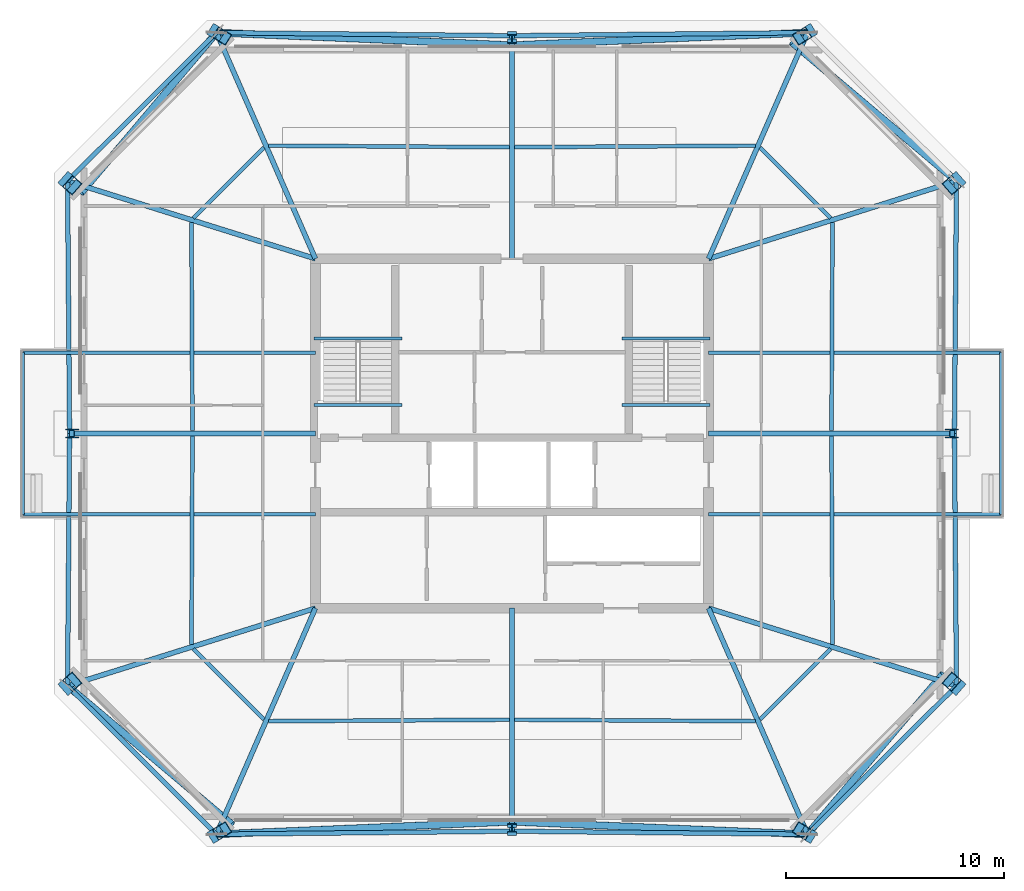
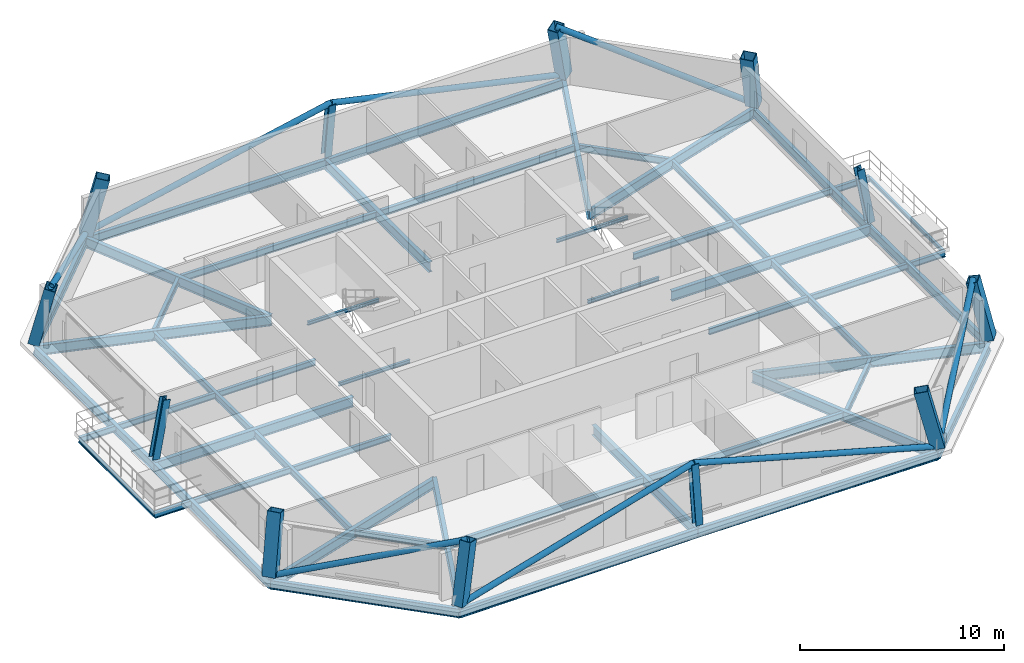
# One storey, part 1 of 7: 45 beams, 12 columns, 8 members.
"""IFC4 building model written with IfcOpenShell, lengths in metres."""

from ifc_helpers import new_model, si_unit, direction, frame, origin, origin_2d, place, context, subcontext, project, spatial, hollow_rectangle, hollow_circle, i_section, extrude, material, material_profile, profile_set, type_object, element, save


model = new_model("IFC4")

# Units and contexts
model_context = context("Model", 3, precision=1e-05, world=origin(), true_north=direction((0.0, 1.0)))
body_context = subcontext(model_context, "Body", "Model", "MODEL_VIEW")
ifc_project = project(units=[si_unit("LENGTHUNIT", "METRE"), si_unit("AREAUNIT", "SQUARE_METRE"), si_unit("VOLUMEUNIT", "CUBIC_METRE"), si_unit("PLANEANGLEUNIT", "RADIAN"), si_unit("MASSUNIT", "GRAM", prefix="KILO")], contexts=[model_context])

# Site, building, storey
site_placement = place(None, origin())
site = spatial("IfcSite", under=ifc_project, at=site_placement, CompositionType="ELEMENT")
building_placement = place(site_placement, origin())
building = spatial("IfcBuilding", under=site, at=building_placement, Name="Caelvoria Tower", CompositionType="ELEMENT")
storey_placement = place(building_placement, frame((0.0, 0.0, 227.39990234375)))
storey = spatial("IfcBuildingStorey", under=building, at=storey_placement, Name="L60", CompositionType="ELEMENT", Elevation=227.39990234375)

# Columns
ifc_material_1 = material(Name="Structural Steel ASTM A572 Gr.50", Category="steel")
ifc_material_profile_1 = material_profile(ifc_material_1, hollow_rectangle(XDim=0.580078125, YDim=0.699951171875, WallThickness=0.031982421875, at=origin_2d()), Name="Structural Steel ASTM A572 Gr.50")
ifc_profile_set_1 = profile_set([ifc_material_profile_1], Name="BOX700X580X32 - Structural Steel ASTM A572 Gr.50")
column_type_1 = type_object("IfcColumnType", Name="Mega Box Column 700x580x32", PredefinedType="COLUMN", material=ifc_profile_set_1)
for number, where, z_axis, x_axis, name in (
    (1, (32.472900390625, 13.652099609375, 0.0), (0.20550333397, 0.12726317196, 0.970346569422), (-0.526494647851, 0.850178443495, 0.0), "Perimeter Megaframe Column L60-P00"),
    (2, (59.527099609375, 13.652099609375, 0.0), (-0.20550333397, 0.12726317196, 0.970346569422), (-0.526494647851, -0.850178443495, 0.0), "Perimeter Megaframe Column L60-P02"),
):
    element("IfcColumn", number, at=place(storey_placement, frame(where, z_axis=z_axis, x_axis=x_axis)), inside=storey, type_object=column_type_1, Name=name, PredefinedType="COLUMN", context=body_context, shape_type="SweptSolid", body=[
        extrude(hollow_rectangle(XDim=0.580078125, YDim=0.699951171875, WallThickness=0.031982421875, at=origin_2d()), origin(), (0.0, 0.0, 1.0), 3.47607421875),
    ])
for number, where, z_axis, x_axis, name in (
    (3, (66.3466796875, 20.4462890625, 0.0), (-0.177516374376, 0.155854312843, 0.971698188738), (0.730201092603, -0.64109572948, 0.236225803001), "Perimeter Megaframe Column L60-P03"),
    (4, (66.3466796875, 43.5537109375, 0.0), (-0.177516374376, -0.155854312843, 0.971698188738), (0.730201092603, 0.64109572948, 0.236225803001), "Perimeter Megaframe Column L60-P05"),
):
    element("IfcColumn", number, at=place(storey_placement, frame(where, z_axis=z_axis, x_axis=x_axis)), inside=storey, type_object=column_type_1, Name=name, PredefinedType="COLUMN", context=body_context, shape_type="SweptSolid", body=[
        extrude(hollow_rectangle(XDim=0.580078125, YDim=0.699951171875, WallThickness=0.031982421875, at=origin_2d()), origin(), (0.0, 0.0, 1.0), 3.47119140625),
    ])
for number, where, z_axis, x_axis, name in (
    (5, (59.527099609375, 50.347900390625, 0.0), (-0.20550333397, -0.12726317196, 0.970346569422), (0.526494647851, -0.850178443495, 0.0), "Perimeter Megaframe Column L60-P06"),
    (6, (32.472900390625, 50.347900390625, 0.0), (0.20550333397, -0.12726317196, 0.970346569422), (0.526494647851, 0.850178443495, 0.0), "Perimeter Megaframe Column L60-P08"),
):
    element("IfcColumn", number, at=place(storey_placement, frame(where, z_axis=z_axis, x_axis=x_axis)), inside=storey, type_object=column_type_1, Name=name, PredefinedType="COLUMN", context=body_context, shape_type="SweptSolid", body=[
        extrude(hollow_rectangle(XDim=0.580078125, YDim=0.699951171875, WallThickness=0.031982421875, at=origin_2d()), origin(), (0.0, 0.0, 1.0), 3.47607421875),
    ])
for number, where, z_axis, x_axis, name in (
    (7, (25.6533203125, 43.5537109375, 0.0), (0.177516374376, -0.155854312843, 0.971698188738), (-0.730201092603, 0.64109572948, 0.236225803001), "Perimeter Megaframe Column L60-P09"),
    (8, (25.6533203125, 20.4462890625, 0.0), (0.177516374376, 0.155854312843, 0.971698188738), (-0.730201092603, -0.64109572948, 0.236225803001), "Perimeter Megaframe Column L60-P11"),
):
    element("IfcColumn", number, at=place(storey_placement, frame(where, z_axis=z_axis, x_axis=x_axis)), inside=storey, type_object=column_type_1, Name=name, PredefinedType="COLUMN", context=body_context, shape_type="SweptSolid", body=[
        extrude(hollow_rectangle(XDim=0.580078125, YDim=0.699951171875, WallThickness=0.031982421875, at=origin_2d()), origin(), (0.0, 0.0, 1.0), 3.47119140625),
    ])
ifc_material_2 = material(Name="Structural Steel ASTM A992 Gr.50", Category="steel")
ifc_material_profile_2 = material_profile(ifc_material_2, i_section(OverallWidth=0.40087890625, OverallDepth=0.39892578125, WebThickness=0.02490234375, FlangeThickness=0.03955078125, FilletRadius=0.02490234375, at=origin_2d()), Name="Structural Steel ASTM A992 Gr.50")
ifc_profile_set_2 = profile_set([ifc_material_profile_2], Name="W360X314 - Structural Steel ASTM A992 Gr.50")
column_type_2 = type_object("IfcColumnType", Name="Upper Frame Column W360X314", PredefinedType="COLUMN", material=ifc_profile_set_2)
column_1_placement = place(storey_placement, frame((46.0, 13.792724609375, 0.0), z_axis=(0.0, 0.128274255688, 0.991738733401), x_axis=(-1.0, 0.0, 0.0)))
element("IfcColumn", 9, at=column_1_placement, inside=storey, type_object=column_type_2, Name="Perimeter Megaframe Column L60-P01", PredefinedType="COLUMN", context=body_context, shape_type="SweptSolid", body=[
    extrude(i_section(OverallWidth=0.40087890625, OverallDepth=0.39892578125, WebThickness=0.02490234375, FlangeThickness=0.03955078125, FilletRadius=0.02490234375, at=origin_2d()), origin(), (0.0, 0.0, 1.0), 3.401123046875),
])
column_2_placement = place(storey_placement, frame((66.252685546875, 32.0, 0.0), z_axis=(-0.178954370443, 0.0, 0.98385737447), x_axis=(0.98385737447, 0.0, 0.178954370443)))
element("IfcColumn", 10, at=column_2_placement, inside=storey, type_object=column_type_2, Name="Perimeter Megaframe Column L60-P04", PredefinedType="COLUMN", context=body_context, shape_type="SweptSolid", body=[
    extrude(i_section(OverallWidth=0.40087890625, OverallDepth=0.39892578125, WebThickness=0.02490234375, FlangeThickness=0.03955078125, FilletRadius=0.02490234375, at=origin_2d()), origin(), (0.0, 0.0, 1.0), 3.428466796875),
])
column_3_placement = place(storey_placement, frame((46.0, 50.207275390625, 0.0), z_axis=(0.0, -0.128274255688, 0.991738733401), x_axis=(1.0, 0.0, 0.0)))
element("IfcColumn", 11, at=column_3_placement, inside=storey, type_object=column_type_2, Name="Perimeter Megaframe Column L60-P07", PredefinedType="COLUMN", context=body_context, shape_type="SweptSolid", body=[
    extrude(i_section(OverallWidth=0.40087890625, OverallDepth=0.39892578125, WebThickness=0.02490234375, FlangeThickness=0.03955078125, FilletRadius=0.02490234375, at=origin_2d()), origin(), (0.0, 0.0, 1.0), 3.401123046875),
])
column_4_placement = place(storey_placement, frame((25.747314453125, 32.0, 0.0), z_axis=(0.178954370443, 0.0, 0.98385737447), x_axis=(-0.98385737447, 0.0, 0.178954370443)))
element("IfcColumn", 12, at=column_4_placement, inside=storey, type_object=column_type_2, Name="Perimeter Megaframe Column L60-P10", PredefinedType="COLUMN", context=body_context, shape_type="SweptSolid", body=[
    extrude(i_section(OverallWidth=0.40087890625, OverallDepth=0.39892578125, WebThickness=0.02490234375, FlangeThickness=0.03955078125, FilletRadius=0.02490234375, at=origin_2d()), origin(), (0.0, 0.0, 1.0), 3.428466796875),
])

# Beams
ifc_material_profile_3 = material_profile(ifc_material_2, i_section(OverallWidth=0.134033203125, OverallDepth=0.2099609375, WebThickness=0.00634765625, FlangeThickness=0.01025390625, FilletRadius=0.010009765625, at=origin_2d()), Name="Structural Steel ASTM A992 Gr.50")
ifc_profile_set_3 = profile_set([ifc_material_profile_3], Name="W200X31.3 - Structural Steel ASTM A992 Gr.50")
beam_type_1 = type_object("IfcBeamType", Name="Canopy Edge Trim Beam W200X31.3", PredefinedType="BEAM", material=ifc_profile_set_3)
for number, where, z_axis, x_axis, name in (
    (13, (23.627197265625, 28.300048828125, -0.428955078125), (0.0, 1.0, 0.0), (-1.0, 0.0, 0.0), "Tree Balcony Edge Beam TB-L60-W"),
    (14, (68.372802734375, 28.300048828125, -0.428955078125), (0.0, 1.0, 0.0), (-1.0, 0.0, 0.0), "Tree Balcony Edge Beam TB-L60-E"),
):
    element("IfcBeam", number, at=place(storey_placement, frame(where, z_axis=z_axis, x_axis=x_axis)), inside=storey, type_object=beam_type_1, Name=name, PredefinedType="BEAM", context=body_context, shape_type="SweptSolid", body=[
        extrude(i_section(OverallWidth=0.134033203125, OverallDepth=0.2099609375, WebThickness=0.00634765625, FlangeThickness=0.01025390625, FilletRadius=0.010009765625, at=origin_2d()), origin(), (0.0, 0.0, 1.0), 7.39990234375),
    ])
for number, where, z_axis, x_axis, name in (
    (15, (36.929931640625, 36.35009765625, 1.4951171875), (1.0, 0.0, 0.0), (0.0, 1.0, 0.0), "ST-01 Half-Landing Support Beam L60"),
    (16, (36.929931640625, 33.300048828125, -0.304931640625), (1.0, 0.0, 0.0), (0.0, 1.0, 0.0), "ST-01 Floor-Landing Support Beam L60"),
    (17, (51.030029296875, 36.35009765625, 1.4951171875), (1.0, 0.0, 0.0), (0.0, 1.0, 0.0), "ST-02 Half-Landing Support Beam L60"),
    (18, (51.030029296875, 33.300048828125, -0.304931640625), (1.0, 0.0, 0.0), (0.0, 1.0, 0.0), "ST-02 Floor-Landing Support Beam L60"),
):
    element("IfcBeam", number, at=place(storey_placement, frame(where, z_axis=z_axis, x_axis=x_axis)), inside=storey, type_object=beam_type_1, Name=name, PredefinedType="BEAM", context=body_context, shape_type="SweptSolid", body=[
        extrude(i_section(OverallWidth=0.134033203125, OverallDepth=0.2099609375, WebThickness=0.00634765625, FlangeThickness=0.01025390625, FilletRadius=0.010009765625, at=origin_2d()), origin(), (0.0, 0.0, 1.0), 4.0400390625),
    ])
ifc_material_profile_4 = material_profile(ifc_material_2, i_section(OverallWidth=0.22802734375, OverallDepth=0.60302734375, WebThickness=0.010498046875, FlangeThickness=0.014892578125, FilletRadius=0.01806640625, at=origin_2d()), Name="Structural Steel ASTM A992 Gr.50")
ifc_profile_set_4 = profile_set([ifc_material_profile_4], Name="W610X101 - Structural Steel ASTM A992 Gr.50")
beam_type_2 = type_object("IfcBeamType", Name="Primary Floor Girder W610X101", PredefinedType="BEAM", material=ifc_profile_set_4)
beam_1_placement = place(storey_placement, frame((37.0, 24.0, -0.5263671875), z_axis=(-0.400810896615, -0.916160807476, 0.0), x_axis=(0.916160807476, -0.400810896615, 0.0)))
element("IfcBeam", 19, at=beam_1_placement, inside=storey, type_object=beam_type_2, Name="Primary Floor Girder L60-00", PredefinedType="BEAM", context=body_context, shape_type="SweptSolid", body=[
    extrude(i_section(OverallWidth=0.22802734375, OverallDepth=0.60302734375, WebThickness=0.010498046875, FlangeThickness=0.014892578125, FilletRadius=0.01806640625, at=origin_2d()), origin(), (0.0, 0.0, 1.0), 11.294921875),
])
beam_2_placement = place(storey_placement, frame((46.0, 24.0, -0.5263671875), z_axis=(0.0, -1.0, 0.0), x_axis=(1.0, 0.0, 0.0)))
element("IfcBeam", 20, at=beam_2_placement, inside=storey, type_object=beam_type_2, Name="Primary Floor Girder L60-01", PredefinedType="BEAM", context=body_context, shape_type="SweptSolid", body=[
    extrude(i_section(OverallWidth=0.22802734375, OverallDepth=0.60302734375, WebThickness=0.010498046875, FlangeThickness=0.014892578125, FilletRadius=0.01806640625, at=origin_2d()), origin(), (0.0, 0.0, 1.0), 10.207275390625),
])
beam_3_placement = place(storey_placement, frame((55.0, 24.0, -0.5263671875), z_axis=(0.400810896615, -0.916160807476, 0.0), x_axis=(0.916160807476, 0.400810896615, 0.0)))
element("IfcBeam", 21, at=beam_3_placement, inside=storey, type_object=beam_type_2, Name="Primary Floor Girder L60-02", PredefinedType="BEAM", context=body_context, shape_type="SweptSolid", body=[
    extrude(i_section(OverallWidth=0.22802734375, OverallDepth=0.60302734375, WebThickness=0.010498046875, FlangeThickness=0.014892578125, FilletRadius=0.01806640625, at=origin_2d()), origin(), (0.0, 0.0, 1.0), 11.294921875),
])
beam_4_placement = place(storey_placement, frame((55.0, 24.0, -0.5263671875), z_axis=(0.954291263844, -0.298878208893, 0.0), x_axis=(0.298878208893, 0.954291263844, 0.0)))
element("IfcBeam", 22, at=beam_4_placement, inside=storey, type_object=beam_type_2, Name="Primary Floor Girder L60-03", PredefinedType="BEAM", context=body_context, shape_type="SweptSolid", body=[
    extrude(i_section(OverallWidth=0.22802734375, OverallDepth=0.60302734375, WebThickness=0.010498046875, FlangeThickness=0.014892578125, FilletRadius=0.01806640625, at=origin_2d()), origin(), (0.0, 0.0, 1.0), 11.89013671875),
])
beam_5_placement = place(storey_placement, frame((55.0, 32.0, -0.5263671875), z_axis=(1.0, 0.0, 0.0), x_axis=(0.0, 1.0, 0.0)))
element("IfcBeam", 23, at=beam_5_placement, inside=storey, type_object=beam_type_2, Name="Primary Floor Girder L60-04", PredefinedType="BEAM", context=body_context, shape_type="SweptSolid", body=[
    extrude(i_section(OverallWidth=0.22802734375, OverallDepth=0.60302734375, WebThickness=0.010498046875, FlangeThickness=0.014892578125, FilletRadius=0.01806640625, at=origin_2d()), origin(), (0.0, 0.0, 1.0), 11.252685546875),
])
beam_6_placement = place(storey_placement, frame((55.0, 40.0, -0.5263671875), z_axis=(0.954291263844, 0.298878208893, 0.0), x_axis=(-0.298878208893, 0.954291263844, 0.0)))
element("IfcBeam", 24, at=beam_6_placement, inside=storey, type_object=beam_type_2, Name="Primary Floor Girder L60-05", PredefinedType="BEAM", context=body_context, shape_type="SweptSolid", body=[
    extrude(i_section(OverallWidth=0.22802734375, OverallDepth=0.60302734375, WebThickness=0.010498046875, FlangeThickness=0.014892578125, FilletRadius=0.01806640625, at=origin_2d()), origin(), (0.0, 0.0, 1.0), 11.89013671875),
])
beam_7_placement = place(storey_placement, frame((55.0, 40.0, -0.5263671875), z_axis=(0.400810896615, 0.916160807476, 0.0), x_axis=(-0.916160807476, 0.400810896615, 0.0)))
element("IfcBeam", 25, at=beam_7_placement, inside=storey, type_object=beam_type_2, Name="Primary Floor Girder L60-06", PredefinedType="BEAM", context=body_context, shape_type="SweptSolid", body=[
    extrude(i_section(OverallWidth=0.22802734375, OverallDepth=0.60302734375, WebThickness=0.010498046875, FlangeThickness=0.014892578125, FilletRadius=0.01806640625, at=origin_2d()), origin(), (0.0, 0.0, 1.0), 11.294921875),
])
beam_8_placement = place(storey_placement, frame((46.0, 40.0, -0.5263671875), z_axis=(0.0, 1.0, 0.0), x_axis=(-1.0, 0.0, 0.0)))
element("IfcBeam", 26, at=beam_8_placement, inside=storey, type_object=beam_type_2, Name="Primary Floor Girder L60-07", PredefinedType="BEAM", context=body_context, shape_type="SweptSolid", body=[
    extrude(i_section(OverallWidth=0.22802734375, OverallDepth=0.60302734375, WebThickness=0.010498046875, FlangeThickness=0.014892578125, FilletRadius=0.01806640625, at=origin_2d()), origin(), (0.0, 0.0, 1.0), 10.207275390625),
])
beam_9_placement = place(storey_placement, frame((37.0, 40.0, -0.5263671875), z_axis=(-0.400810896615, 0.916160807476, 0.0), x_axis=(-0.916160807476, -0.400810896615, 0.0)))
element("IfcBeam", 27, at=beam_9_placement, inside=storey, type_object=beam_type_2, Name="Primary Floor Girder L60-08", PredefinedType="BEAM", context=body_context, shape_type="SweptSolid", body=[
    extrude(i_section(OverallWidth=0.22802734375, OverallDepth=0.60302734375, WebThickness=0.010498046875, FlangeThickness=0.014892578125, FilletRadius=0.01806640625, at=origin_2d()), origin(), (0.0, 0.0, 1.0), 11.294921875),
])
beam_10_placement = place(storey_placement, frame((37.0, 40.0, -0.5263671875), z_axis=(-0.954291263844, 0.298878208893, 0.0), x_axis=(-0.298878208893, -0.954291263844, 0.0)))
element("IfcBeam", 28, at=beam_10_placement, inside=storey, type_object=beam_type_2, Name="Primary Floor Girder L60-09", PredefinedType="BEAM", context=body_context, shape_type="SweptSolid", body=[
    extrude(i_section(OverallWidth=0.22802734375, OverallDepth=0.60302734375, WebThickness=0.010498046875, FlangeThickness=0.014892578125, FilletRadius=0.01806640625, at=origin_2d()), origin(), (0.0, 0.0, 1.0), 11.89013671875),
])
beam_11_placement = place(storey_placement, frame((37.0, 32.0, -0.5263671875), z_axis=(-1.0, 0.0, 0.0), x_axis=(0.0, -1.0, 0.0)))
element("IfcBeam", 29, at=beam_11_placement, inside=storey, type_object=beam_type_2, Name="Primary Floor Girder L60-10", PredefinedType="BEAM", context=body_context, shape_type="SweptSolid", body=[
    extrude(i_section(OverallWidth=0.22802734375, OverallDepth=0.60302734375, WebThickness=0.010498046875, FlangeThickness=0.014892578125, FilletRadius=0.01806640625, at=origin_2d()), origin(), (0.0, 0.0, 1.0), 11.252685546875),
])
beam_12_placement = place(storey_placement, frame((37.0, 24.0, -0.5263671875), z_axis=(-0.954291263844, -0.298878208893, 0.0), x_axis=(0.298878208893, -0.954291263844, 0.0)))
element("IfcBeam", 30, at=beam_12_placement, inside=storey, type_object=beam_type_2, Name="Primary Floor Girder L60-11", PredefinedType="BEAM", context=body_context, shape_type="SweptSolid", body=[
    extrude(i_section(OverallWidth=0.22802734375, OverallDepth=0.60302734375, WebThickness=0.010498046875, FlangeThickness=0.014892578125, FilletRadius=0.01806640625, at=origin_2d()), origin(), (0.0, 0.0, 1.0), 11.89013671875),
])
ifc_material_profile_5 = material_profile(ifc_material_2, i_section(OverallWidth=0.177978515625, OverallDepth=0.406982421875, WebThickness=0.0078125, FlangeThickness=0.0126953125, FilletRadius=0.013916015625, at=origin_2d()), Name="Structural Steel ASTM A992 Gr.50")
ifc_profile_set_5 = profile_set([ifc_material_profile_5], Name="W410X60 - Structural Steel ASTM A992 Gr.50")
beam_type_3 = type_object("IfcBeamType", Name="Secondary Floor Beam W410X60", PredefinedType="BEAM", material=ifc_profile_set_5)
for number, where, z_axis, x_axis, name in (
    (31, (34.861328125, 18.826904296875, -0.428466796875), (0.99998060071, 0.006228820465, 0.0), (-0.006228820465, 0.99998060071, 0.0), "Secondary Floor Beam L60-00"),
    (32, (46.125, 18.8955078125, -0.428466796875), (0.99998060071, -0.006228820465, 0.0), (0.006228820465, 0.99998060071, 0.0), "Secondary Floor Beam L60-01"),
):
    element("IfcBeam", number, at=place(storey_placement, frame(where, z_axis=z_axis, x_axis=x_axis)), inside=storey, type_object=beam_type_3, Name=name, PredefinedType="BEAM", context=body_context, shape_type="SweptSolid", body=[
        extrude(i_section(OverallWidth=0.177978515625, OverallDepth=0.406982421875, WebThickness=0.0078125, FlangeThickness=0.0126953125, FilletRadius=0.013916015625, at=origin_2d()), origin(), (0.0, 0.0, 1.0), 11.013916015625),
    ])
beam_13_placement = place(storey_placement, frame((57.352294921875, 18.914306640625, -0.428466796875), z_axis=(0.708389705346, 0.705821525146, 0.0), x_axis=(-0.705821525146, 0.708389705346, 0.0)))
element("IfcBeam", 33, at=beam_13_placement, inside=storey, type_object=beam_type_3, Name="Secondary Floor Beam L60-02", PredefinedType="BEAM", context=body_context, shape_type="SweptSolid", body=[
    extrude(i_section(OverallWidth=0.177978515625, OverallDepth=0.406982421875, WebThickness=0.0078125, FlangeThickness=0.0126953125, FilletRadius=0.013916015625, at=origin_2d()), origin(), (0.0, 0.0, 1.0), 4.56298828125),
])
for number, where, z_axis, x_axis, name in (
    (34, (60.672607421875, 22.34814453125, -0.428466796875), (-0.004792113495, 0.999988517758, 0.0), (-0.999988517758, -0.004792113495, 0.0), "Secondary Floor Beam L60-03"),
    (35, (60.626953125, 32.125, -0.428466796875), (0.004792113495, 0.999988517758, 0.0), (-0.999988517758, 0.004792113495, 0.0), "Secondary Floor Beam L60-04"),
):
    element("IfcBeam", number, at=place(storey_placement, frame(where, z_axis=z_axis, x_axis=x_axis)), inside=storey, type_object=beam_type_3, Name=name, PredefinedType="BEAM", context=body_context, shape_type="SweptSolid", body=[
        extrude(i_section(OverallWidth=0.177978515625, OverallDepth=0.406982421875, WebThickness=0.0078125, FlangeThickness=0.0126953125, FilletRadius=0.013916015625, at=origin_2d()), origin(), (0.0, 0.0, 1.0), 9.52685546875),
    ])
beam_14_placement = place(storey_placement, frame((60.584716796875, 41.864990234375, -0.428466796875), z_axis=(-0.708389705346, 0.705821525146, 0.0), x_axis=(-0.705821525146, -0.708389705346, 0.0)))
element("IfcBeam", 36, at=beam_14_placement, inside=storey, type_object=beam_type_3, Name="Secondary Floor Beam L60-05", PredefinedType="BEAM", context=body_context, shape_type="SweptSolid", body=[
    extrude(i_section(OverallWidth=0.177978515625, OverallDepth=0.406982421875, WebThickness=0.0078125, FlangeThickness=0.0126953125, FilletRadius=0.013916015625, at=origin_2d()), origin(), (0.0, 0.0, 1.0), 4.56298828125),
])
for number, where, z_axis, x_axis, name in (
    (37, (57.138671875, 45.173095703125, -0.428466796875), (-0.99998060071, -0.006228820465, 0.0), (0.006228820465, -0.99998060071, 0.0), "Secondary Floor Beam L60-06"),
    (38, (45.875, 45.1044921875, -0.428466796875), (-0.99998060071, 0.006228820465, 0.0), (-0.006228820465, -0.99998060071, 0.0), "Secondary Floor Beam L60-07"),
):
    element("IfcBeam", number, at=place(storey_placement, frame(where, z_axis=z_axis, x_axis=x_axis)), inside=storey, type_object=beam_type_3, Name=name, PredefinedType="BEAM", context=body_context, shape_type="SweptSolid", body=[
        extrude(i_section(OverallWidth=0.177978515625, OverallDepth=0.406982421875, WebThickness=0.0078125, FlangeThickness=0.0126953125, FilletRadius=0.013916015625, at=origin_2d()), origin(), (0.0, 0.0, 1.0), 11.013916015625),
    ])
beam_15_placement = place(storey_placement, frame((34.647705078125, 45.085693359375, -0.428466796875), z_axis=(-0.708389705346, -0.705821525146, 0.0), x_axis=(0.705821525146, -0.708389705346, 0.0)))
element("IfcBeam", 39, at=beam_15_placement, inside=storey, type_object=beam_type_3, Name="Secondary Floor Beam L60-08", PredefinedType="BEAM", context=body_context, shape_type="SweptSolid", body=[
    extrude(i_section(OverallWidth=0.177978515625, OverallDepth=0.406982421875, WebThickness=0.0078125, FlangeThickness=0.0126953125, FilletRadius=0.013916015625, at=origin_2d()), origin(), (0.0, 0.0, 1.0), 4.56298828125),
])
for number, where, z_axis, x_axis, name in (
    (40, (31.327392578125, 41.65185546875, -0.428466796875), (0.004792113495, -0.999988517758, 0.0), (0.999988517758, 0.004792113495, 0.0), "Secondary Floor Beam L60-09"),
    (41, (31.373046875, 31.875, -0.428466796875), (-0.004792113495, -0.999988517758, 0.0), (0.999988517758, -0.004792113495, 0.0), "Secondary Floor Beam L60-10"),
):
    element("IfcBeam", number, at=place(storey_placement, frame(where, z_axis=z_axis, x_axis=x_axis)), inside=storey, type_object=beam_type_3, Name=name, PredefinedType="BEAM", context=body_context, shape_type="SweptSolid", body=[
        extrude(i_section(OverallWidth=0.177978515625, OverallDepth=0.406982421875, WebThickness=0.0078125, FlangeThickness=0.0126953125, FilletRadius=0.013916015625, at=origin_2d()), origin(), (0.0, 0.0, 1.0), 9.52685546875),
    ])
beam_16_placement = place(storey_placement, frame((31.415283203125, 22.135009765625, -0.428466796875), z_axis=(0.708389705346, -0.705821525146, 0.0), x_axis=(0.705821525146, 0.708389705346, 0.0)))
element("IfcBeam", 42, at=beam_16_placement, inside=storey, type_object=beam_type_3, Name="Secondary Floor Beam L60-11", PredefinedType="BEAM", context=body_context, shape_type="SweptSolid", body=[
    extrude(i_section(OverallWidth=0.177978515625, OverallDepth=0.406982421875, WebThickness=0.0078125, FlangeThickness=0.0126953125, FilletRadius=0.013916015625, at=origin_2d()), origin(), (0.0, 0.0, 1.0), 4.56298828125),
])

# Members
ifc_material_profile_6 = material_profile(ifc_material_1, hollow_circle(Radius=0.162109375, WallThickness=0.0126953125, at=origin_2d()), Name="Structural Steel ASTM A572 Gr.50")
ifc_profile_set_6 = profile_set([ifc_material_profile_6], Name="CHS324X12.7 - Structural Steel ASTM A572 Gr.50")
member_type = type_object("IfcMemberType", Name="Summit Perimeter Mega Brace CHS324X12.7", PredefinedType="BRACE", material=ifc_profile_set_6)
member_1_placement = place(storey_placement, frame((59.527099609375, 13.652099609375, 0.0), z_axis=(0.609235299481, 0.720393347747, 0.331460064545), x_axis=(-0.763557845453, 0.645739434019, 0.0)))
element("IfcMember", 43, at=member_1_placement, inside=storey, type_object=member_type, Name="Perimeter Chamfer Mega Brace L60 SE", PredefinedType="BRACE", context=body_context, shape_type="SweptSolid", body=[
    extrude(hollow_circle(Radius=0.162109375, WallThickness=0.0126953125, at=origin_2d()), origin(), (0.0, 0.0, 1.0), 10.18212890625),
])
member_2_placement = place(storey_placement, frame((66.3466796875, 43.5537109375, 0.0), z_axis=(-0.723293432533, 0.609803468492, 0.324015956814), x_axis=(-0.644577376453, -0.7645390806, 0.0)))
element("IfcMember", 44, at=member_2_placement, inside=storey, type_object=member_type, Name="Perimeter Chamfer Mega Brace L60 NE", PredefinedType="BRACE", context=body_context, shape_type="SweptSolid", body=[
    extrude(hollow_circle(Radius=0.162109375, WallThickness=0.0126953125, at=origin_2d()), origin(), (0.0, 0.0, 1.0), 10.416259765625),
])
member_3_placement = place(storey_placement, frame((32.472900390625, 50.347900390625, 0.0), z_axis=(-0.609235299481, -0.720393347747, 0.331460064545), x_axis=(0.763557845453, -0.645739434019, 0.0)))
element("IfcMember", 45, at=member_3_placement, inside=storey, type_object=member_type, Name="Perimeter Chamfer Mega Brace L60 NW", PredefinedType="BRACE", context=body_context, shape_type="SweptSolid", body=[
    extrude(hollow_circle(Radius=0.162109375, WallThickness=0.0126953125, at=origin_2d()), origin(), (0.0, 0.0, 1.0), 10.18212890625),
])
member_4_placement = place(storey_placement, frame((25.6533203125, 20.4462890625, 0.0), z_axis=(0.723293432533, -0.609803468492, 0.324015956814), x_axis=(0.644577376453, 0.7645390806, 0.0)))
element("IfcMember", 46, at=member_4_placement, inside=storey, type_object=member_type, Name="Perimeter Chamfer Mega Brace L60 SW", PredefinedType="BRACE", context=body_context, shape_type="SweptSolid", body=[
    extrude(hollow_circle(Radius=0.162109375, WallThickness=0.0126953125, at=origin_2d()), origin(), (0.0, 0.0, 1.0), 10.416259765625),
])
for number, where, z_axis, x_axis, name in (
    (47, (32.472900390625, 13.652099609375, 0.0), (0.969427127693, 0.041344167754, 0.241871254773), (-0.04260930838, 0.999091811016, 0.0), "Perimeter Cardinal Mega Brace L60 SA"),
    (48, (59.527099609375, 13.652099609375, 0.0), (-0.969427127693, 0.041344167754, 0.241871254773), (-0.04260930838, -0.999091811016, 0.0), "Perimeter Cardinal Mega Brace L60 SB"),
    (49, (59.527099609375, 50.347900390625, 0.0), (-0.969427127693, -0.041344167754, 0.241871254773), (0.04260930838, -0.999091811016, 0.0), "Perimeter Cardinal Mega Brace L60 NA"),
    (50, (32.472900390625, 50.347900390625, 0.0), (0.969427127693, -0.041344167754, 0.241871254773), (0.04260930838, 0.999091811016, 0.0), "Perimeter Cardinal Mega Brace L60 NB"),
):
    element("IfcMember", number, at=place(storey_placement, frame(where, z_axis=z_axis, x_axis=x_axis)), inside=storey, type_object=member_type, Name=name, PredefinedType="BRACE", context=body_context, shape_type="SweptSolid", body=[
        extrude(hollow_circle(Radius=0.162109375, WallThickness=0.0126953125, at=origin_2d()), origin(), (0.0, 0.0, 1.0), 13.95361328125),
    ])

# Beams
ifc_material_profile_7 = material_profile(ifc_material_2, i_section(OverallWidth=0.1708984375, OverallDepth=0.35498046875, WebThickness=0.007080078125, FlangeThickness=0.01171875, FilletRadius=0.012939453125, at=origin_2d()), Name="Structural Steel ASTM A992 Gr.50")
ifc_profile_set_7 = profile_set([ifc_material_profile_7], Name="W360X51 - Structural Steel ASTM A992 Gr.50")
beam_type_4 = type_object("IfcBeamType", Name="Tree Balcony Cantilever Beam W360X51", PredefinedType="BEAM", material=ifc_profile_set_7)
for number, where, z_axis, x_axis, name in (
    (51, (37.0, 28.300048828125, -0.428955078125), (-1.0, 0.0, 0.0), (0.0, -1.0, 0.0), "Tree Balcony Cantilever Beam TB-L60-W L"),
    (52, (37.0, 35.699951171875, -0.428955078125), (-1.0, 0.0, 0.0), (0.0, -1.0, 0.0), "Tree Balcony Cantilever Beam TB-L60-W R"),
    (53, (55.0, 28.300048828125, -0.428955078125), (1.0, 0.0, 0.0), (0.0, 1.0, 0.0), "Tree Balcony Cantilever Beam TB-L60-E L"),
    (54, (55.0, 35.699951171875, -0.428955078125), (1.0, 0.0, 0.0), (0.0, 1.0, 0.0), "Tree Balcony Cantilever Beam TB-L60-E R"),
):
    element("IfcBeam", number, at=place(storey_placement, frame(where, z_axis=z_axis, x_axis=x_axis)), inside=storey, type_object=beam_type_4, Name=name, PredefinedType="BEAM", context=body_context, shape_type="SweptSolid", body=[
        extrude(i_section(OverallWidth=0.1708984375, OverallDepth=0.35498046875, WebThickness=0.007080078125, FlangeThickness=0.01171875, FilletRadius=0.012939453125, at=origin_2d()), origin(), (0.0, 0.0, 1.0), 13.372802734375),
    ])
ifc_material_profile_8 = material_profile(ifc_material_2, i_section(OverallWidth=0.208984375, OverallDepth=0.532958984375, WebThickness=0.01025390625, FlangeThickness=0.015625, FilletRadius=0.01611328125, at=origin_2d()), Name="Structural Steel ASTM A992 Gr.50")
ifc_profile_set_8 = profile_set([ifc_material_profile_8], Name="W530X92 - Structural Steel ASTM A992 Gr.50")
beam_type_5 = type_object("IfcBeamType", Name="Upper Zone Spandrel W530X92", PredefinedType="BEAM", material=ifc_profile_set_8)
for number, where, z_axis, x_axis, name in (
    (55, (32.472900390625, 13.652099609375, -0.491455078125), (0.999945968068, 0.01039523666, 0.0), (-0.01039523666, 0.999945968068, 0.0), "Perimeter Spandrel Girder L60-00"),
    (56, (46.0, 13.792724609375, -0.491455078125), (0.999945968068, -0.01039523666, 0.0), (0.01039523666, 0.999945968068, 0.0), "Perimeter Spandrel Girder L60-01"),
):
    element("IfcBeam", number, at=place(storey_placement, frame(where, z_axis=z_axis, x_axis=x_axis)), inside=storey, type_object=beam_type_5, Name=name, PredefinedType="BEAM", context=body_context, shape_type="SweptSolid", body=[
        extrude(i_section(OverallWidth=0.208984375, OverallDepth=0.532958984375, WebThickness=0.01025390625, FlangeThickness=0.015625, FilletRadius=0.01611328125, at=origin_2d()), origin(), (0.0, 0.0, 1.0), 13.52783203125),
    ])
beam_17_placement = place(storey_placement, frame((59.527099609375, 13.652099609375, -0.491455078125), z_axis=(0.708424352288, 0.705786750432, 0.0), x_axis=(-0.705786750432, 0.708424352288, 0.0)))
element("IfcBeam", 57, at=beam_17_placement, inside=storey, type_object=beam_type_5, Name="Perimeter Spandrel Girder L60-02", PredefinedType="BEAM", context=body_context, shape_type="SweptSolid", body=[
    extrude(i_section(OverallWidth=0.208984375, OverallDepth=0.532958984375, WebThickness=0.01025390625, FlangeThickness=0.015625, FilletRadius=0.01611328125, at=origin_2d()), origin(), (0.0, 0.0, 1.0), 9.62646484375),
])
for number, where, z_axis, x_axis, name in (
    (58, (66.3466796875, 20.4462890625, -0.491455078125), (-0.008135137775, 0.999966909219, 0.0), (-0.999966909219, -0.008135137775, 0.0), "Perimeter Spandrel Girder L60-03"),
    (59, (66.252685546875, 32.0, -0.491455078125), (0.008135137775, 0.999966909219, 0.0), (-0.999966909219, 0.008135137775, 0.0), "Perimeter Spandrel Girder L60-04"),
):
    element("IfcBeam", number, at=place(storey_placement, frame(where, z_axis=z_axis, x_axis=x_axis)), inside=storey, type_object=beam_type_5, Name=name, PredefinedType="BEAM", context=body_context, shape_type="SweptSolid", body=[
        extrude(i_section(OverallWidth=0.208984375, OverallDepth=0.532958984375, WebThickness=0.01025390625, FlangeThickness=0.015625, FilletRadius=0.01611328125, at=origin_2d()), origin(), (0.0, 0.0, 1.0), 11.55419921875),
    ])
for number, where, z_axis, x_axis, name in (
    (60, (59.527099609375, 50.347900390625, -0.491455078125), (-0.999945968068, -0.01039523666, 0.0), (0.01039523666, -0.999945968068, 0.0), "Perimeter Spandrel Girder L60-06"),
    (61, (46.0, 50.207275390625, -0.491455078125), (-0.999945968068, 0.01039523666, 0.0), (-0.01039523666, -0.999945968068, 0.0), "Perimeter Spandrel Girder L60-07"),
):
    element("IfcBeam", number, at=place(storey_placement, frame(where, z_axis=z_axis, x_axis=x_axis)), inside=storey, type_object=beam_type_5, Name=name, PredefinedType="BEAM", context=body_context, shape_type="SweptSolid", body=[
        extrude(i_section(OverallWidth=0.208984375, OverallDepth=0.532958984375, WebThickness=0.01025390625, FlangeThickness=0.015625, FilletRadius=0.01611328125, at=origin_2d()), origin(), (0.0, 0.0, 1.0), 13.52783203125),
    ])
beam_18_placement = place(storey_placement, frame((32.472900390625, 50.347900390625, -0.491455078125), z_axis=(-0.708424352288, -0.705786750432, 0.0), x_axis=(0.705786750432, -0.708424352288, 0.0)))
element("IfcBeam", 62, at=beam_18_placement, inside=storey, type_object=beam_type_5, Name="Perimeter Spandrel Girder L60-08", PredefinedType="BEAM", context=body_context, shape_type="SweptSolid", body=[
    extrude(i_section(OverallWidth=0.208984375, OverallDepth=0.532958984375, WebThickness=0.01025390625, FlangeThickness=0.015625, FilletRadius=0.01611328125, at=origin_2d()), origin(), (0.0, 0.0, 1.0), 9.62646484375),
])
for number, where, z_axis, x_axis, name in (
    (63, (25.6533203125, 43.5537109375, -0.491455078125), (0.008135137775, -0.999966909219, 0.0), (0.999966909219, 0.008135137775, 0.0), "Perimeter Spandrel Girder L60-09"),
    (64, (25.747314453125, 32.0, -0.491455078125), (-0.008135137775, -0.999966909219, 0.0), (0.999966909219, -0.008135137775, 0.0), "Perimeter Spandrel Girder L60-10"),
):
    element("IfcBeam", number, at=place(storey_placement, frame(where, z_axis=z_axis, x_axis=x_axis)), inside=storey, type_object=beam_type_5, Name=name, PredefinedType="BEAM", context=body_context, shape_type="SweptSolid", body=[
        extrude(i_section(OverallWidth=0.208984375, OverallDepth=0.532958984375, WebThickness=0.01025390625, FlangeThickness=0.015625, FilletRadius=0.01611328125, at=origin_2d()), origin(), (0.0, 0.0, 1.0), 11.55419921875),
    ])
beam_19_placement = place(storey_placement, frame((25.6533203125, 20.4462890625, -0.491455078125), z_axis=(0.708424352288, -0.705786750432, 0.0), x_axis=(0.705786750432, 0.708424352288, 0.0)))
element("IfcBeam", 65, at=beam_19_placement, inside=storey, type_object=beam_type_5, Name="Perimeter Spandrel Girder L60-11", PredefinedType="BEAM", context=body_context, shape_type="SweptSolid", body=[
    extrude(i_section(OverallWidth=0.208984375, OverallDepth=0.532958984375, WebThickness=0.01025390625, FlangeThickness=0.015625, FilletRadius=0.01611328125, at=origin_2d()), origin(), (0.0, 0.0, 1.0), 9.62646484375),
])

save(model, "model.ifc")
